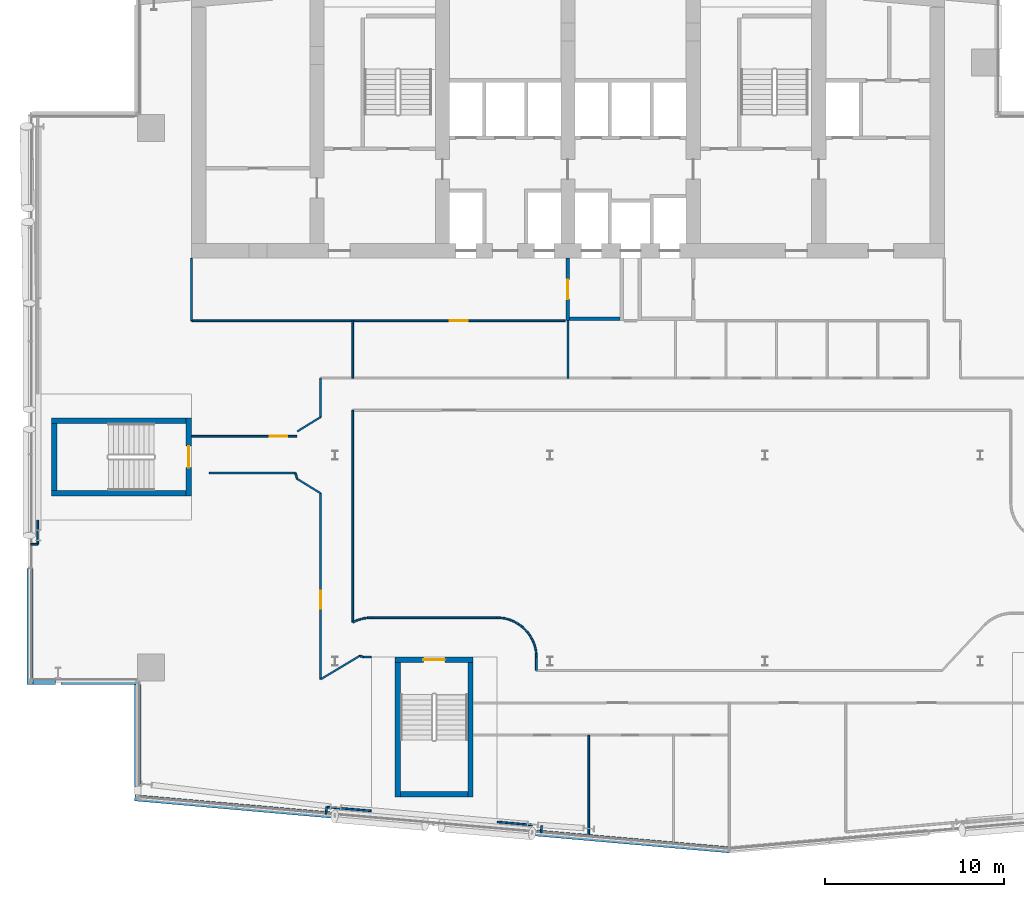
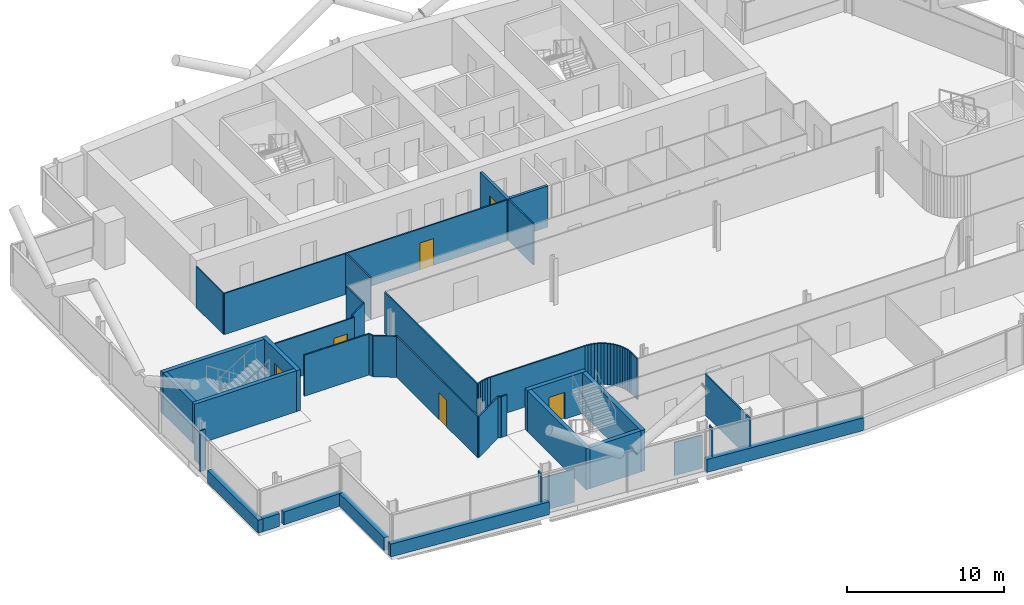
# One storey, part 14 of 27: 61 walls, 6 doors, 6 openings.
"""IFC4 building model written with IfcOpenShell, lengths in metres."""

from ifc_helpers import new_model, si_unit, direction, frame, frame_2d, origin, place, context, subcontext, project, spatial, rectangle, extrude, material, layer, layer_set, type_object, element, fill, save


model = new_model("IFC4")

# Units and contexts
model_context = context("Model", 3, precision=1e-05, world=origin(), true_north=direction((0.0, 1.0)))
body_context = subcontext(model_context, "Body", "Model", "MODEL_VIEW")
ifc_project = project(units=[si_unit("LENGTHUNIT", "METRE"), si_unit("AREAUNIT", "SQUARE_METRE"), si_unit("VOLUMEUNIT", "CUBIC_METRE"), si_unit("PLANEANGLEUNIT", "RADIAN"), si_unit("MASSUNIT", "GRAM", prefix="KILO")], contexts=[model_context])

# Site, building, storey
site_placement = place(None, origin())
site = spatial("IfcSite", under=ifc_project, at=site_placement, CompositionType="ELEMENT")
building_placement = place(site_placement, origin())
building = spatial("IfcBuilding", under=site, at=building_placement, Name="Wharfspan Tower", CompositionType="ELEMENT")
storey_placement = place(building_placement, frame((0.0, 0.0, 159.100098)))
storey = spatial("IfcBuildingStorey", under=building, at=storey_placement, Name="L38", CompositionType="ELEMENT", Elevation=159.100098)

# Wall
ifc_material_1 = material(Name="Gypsum board on steel studs", Category="steel")
ifc_layer_1 = layer(ifc_material_1, 0.100098)
ifc_layer_set_1 = layer_set([ifc_layer_1], Name="Gypsum board on steel studs")
wall_type_1 = type_object("IfcWallType", Name="Compartment wall 100 EI 60", PredefinedType="PARTITIONING", material=ifc_layer_set_1)
wall_1_placement = place(storey_placement, frame((16.0, 30.5, 0.0), z_axis=(0.0, 0.0, 1.0), x_axis=(0.0, 1.0, 0.0)))
element("IfcWall", 1, at=wall_1_placement, inside=storey, type_object=wall_type_1, Name="Partition L38.w004", PredefinedType="PARTITIONING", context=body_context, shape_type="SweptSolid", body=[
    extrude(rectangle(XDim=3.47998, YDim=0.100098, at=frame_2d((1.73999, 0.0))), origin(), (0.0, 0.0, 1.0), 3.199951),
])

# Wall, opening, door
wall_2_placement = place(storey_placement, frame((16.0, 30.5, 0.0), z_axis=(0.0, 0.0, 1.0), x_axis=(1.0, 0.0, 0.0)))
wall_2 = element("IfcWall", 2, at=wall_2_placement, inside=storey, type_object=wall_type_1, Name="Partition L38.w005", PredefinedType="PARTITIONING", context=body_context, shape_type="SweptSolid", body=[
    extrude(rectangle(XDim=20.850098, YDim=0.100098, at=frame_2d((10.425049, 0.0))), origin(), (0.0, 0.0, 1.0), 3.199951),
])
opening_1_placement = place(wall_2_placement, frame((14.419922, 0.0, 0.0)))
opening_1 = element("IfcOpeningElement", 3, at=opening_1_placement, cuts=wall_2, Name="Opening C2-18", PredefinedType="OPENING", context=body_context, shape_type="SweptSolid", body=[
    extrude(rectangle(XDim=1.0, YDim=2.100098, at=frame_2d((0.5, 1.050049))), frame((0.0, 0.060059, 0.0), z_axis=(0.0, -1.0, 0.0), x_axis=(1.0, 0.0, 0.0)), (0.0, 0.0, 1.0), 0.120117),
])
ifc_material_2 = material(Name="Fire-rated timber door leaf in steel frame", Category="steel")
door_type_1 = type_object("IfcDoorType", Name="Door 1000 FD30S Left", OperationType="SINGLE_SWING_LEFT", PredefinedType="DOOR", material=ifc_material_2)
door_1_placement = place(opening_1_placement, origin())
door_1 = element("IfcDoor", 4, at=door_1_placement, inside=storey, type_object=door_type_1, Name="Door C2-18", OperationType="SINGLE_SWING_LEFT", OverallHeight=2.100098, OverallWidth=1.0, PredefinedType="DOOR", context=body_context, shape_type="SweptSolid", body=[
    extrude(rectangle(XDim=1.0, YDim=2.100098, at=frame_2d((0.5, 1.050049))), frame((0.0, 0.024902, 0.0), z_axis=(0.0, -1.0, 0.0), x_axis=(1.0, 0.0, 0.0)), (0.0, 0.0, 1.0), 0.050049),
])
fill(opening_1, door_1)

# Wall
wall_3_placement = place(storey_placement, frame((17.0, 22.0, 0.0), z_axis=(0.0, 0.0, 1.0), x_axis=(1.0, 0.0, 0.0)))
element("IfcWall", 5, at=wall_3_placement, inside=storey, type_object=wall_type_1, Name="Partition L38.w006", PredefinedType="PARTITIONING", context=body_context, shape_type="SweptSolid", body=[
    extrude(rectangle(XDim=4.794922, YDim=0.100098, at=frame_2d((2.397461, 0.0))), origin(), (0.0, 0.0, 1.0), 3.199951),
])

# Wall, opening, door
wall_4_placement = place(storey_placement, frame((16.02002, 24.050049, 0.0), z_axis=(0.0, 0.0, 1.0), x_axis=(1.0, 0.0, 0.0)))
wall_4 = element("IfcWall", 6, at=wall_4_placement, inside=storey, type_object=wall_type_1, Name="Partition L38.w007", PredefinedType="PARTITIONING", context=body_context, shape_type="SweptSolid", body=[
    extrude(rectangle(XDim=5.85498, YDim=0.100098, at=frame_2d((2.92749, 0.0))), origin(), (0.0, 0.0, 1.0), 3.199951),
])
opening_2_placement = place(wall_4_placement, frame((4.33252, 0.0, 0.0)))
opening_2 = element("IfcOpeningElement", 7, at=opening_2_placement, cuts=wall_4, Name="Opening C2-09", PredefinedType="OPENING", context=body_context, shape_type="SweptSolid", body=[
    extrude(rectangle(XDim=1.0, YDim=2.100098, at=frame_2d((0.5, 1.050049))), frame((0.0, 0.060059, 0.0), z_axis=(0.0, -1.0, 0.0), x_axis=(1.0, 0.0, 0.0)), (0.0, 0.0, 1.0), 0.120117),
])
door_type_2 = type_object("IfcDoorType", Name="Door 1000 FD30S Right", OperationType="SINGLE_SWING_RIGHT", PredefinedType="DOOR", material=ifc_material_2)
door_2_placement = place(opening_2_placement, origin())
door_2 = element("IfcDoor", 8, at=door_2_placement, inside=storey, type_object=door_type_2, Name="Door C2-09", OperationType="SINGLE_SWING_RIGHT", OverallHeight=2.100098, OverallWidth=1.0, PredefinedType="DOOR", context=body_context, shape_type="SweptSolid", body=[
    extrude(rectangle(XDim=1.0, YDim=2.100098, at=frame_2d((0.5, 1.050049))), frame((0.0, 0.024902, 0.0), z_axis=(0.0, -1.0, 0.0), x_axis=(1.0, 0.0, 0.0)), (0.0, 0.0, 1.0), 0.050049),
])
fill(opening_2, door_2)

# Walls
wall_5_placement = place(storey_placement, frame((21.899902, 21.675049, 0.0), z_axis=(0.0, 0.0, 1.0), x_axis=(-0.30742, 0.951572, 0.0)))
element("IfcWall", 9, at=wall_5_placement, inside=storey, type_object=wall_type_1, Name="Partition L38.w008", PredefinedType="PARTITIONING", context=body_context, shape_type="SweptSolid", body=[
    extrude(rectangle(XDim=0.341553, YDim=0.100098, at=frame_2d((0.170898, 0.0))), origin(), (0.0, 0.0, 1.0), 3.199951),
])
for number, where, z_axis, x_axis, name in (
    (10, (21.899902, 24.324951, 0.0), (0.0, 0.0, 1.0), (0.851649, 0.524104, 0.0), "Partition L38.w009"),
    (11, (23.199951, 20.875, 0.0), (0.0, 0.0, 1.0), (-0.851649, 0.524104, 0.0), "Partition L38.w010"),
):
    element("IfcWall", number, at=place(storey_placement, frame(where, z_axis=z_axis, x_axis=x_axis)), inside=storey, type_object=wall_type_1, Name=name, PredefinedType="PARTITIONING", context=body_context, shape_type="SweptSolid", body=[
        extrude(rectangle(XDim=1.526611, YDim=0.100098, at=frame_2d((0.763184, 0.0))), origin(), (0.0, 0.0, 1.0), 3.199951),
    ])
wall_6_placement = place(storey_placement, frame((23.199951, 10.495117, 0.0), z_axis=(0.0, 0.0, 1.0), x_axis=(0.857707, 0.514145, 0.0)))
element("IfcWall", 12, at=wall_6_placement, inside=storey, type_object=wall_type_1, Name="Partition L38.w011", PredefinedType="PARTITIONING", context=body_context, shape_type="SweptSolid", body=[
    extrude(rectangle(XDim=2.547607, YDim=0.100098, at=frame_2d((1.273926, 0.0))), origin(), (0.0, 0.0, 1.0), 3.199951),
])

# Wall, opening, door
wall_7_placement = place(storey_placement, frame((23.199951, 10.495117, 0.0), z_axis=(0.0, 0.0, 1.0), x_axis=(0.0, 1.0, 0.0)))
wall_7 = element("IfcWall", 13, at=wall_7_placement, inside=storey, type_object=wall_type_1, Name="Partition L38.w012", PredefinedType="PARTITIONING", context=body_context, shape_type="SweptSolid", body=[
    extrude(rectangle(XDim=10.379883, YDim=0.100098, at=frame_2d((5.189941, 0.0))), origin(), (0.0, 0.0, 1.0), 3.199951),
])
opening_3_placement = place(wall_7_placement, frame((3.947998, 0.0, 0.0)))
opening_3 = element("IfcOpeningElement", 14, at=opening_3_placement, cuts=wall_7, Name="Opening C2-07", PredefinedType="OPENING", context=body_context, shape_type="SweptSolid", body=[
    extrude(rectangle(XDim=1.0, YDim=2.100098, at=frame_2d((0.5, 1.050049))), frame((0.0, 0.060059, 0.0), z_axis=(0.0, -1.0, 0.0), x_axis=(1.0, 0.0, 0.0)), (0.0, 0.0, 1.0), 0.120117),
])
door_3_placement = place(opening_3_placement, origin())
door_3 = element("IfcDoor", 15, at=door_3_placement, inside=storey, type_object=door_type_1, Name="Door C2-07", OperationType="SINGLE_SWING_LEFT", OverallHeight=2.100098, OverallWidth=1.0, PredefinedType="DOOR", context=body_context, shape_type="SweptSolid", body=[
    extrude(rectangle(XDim=1.0, YDim=2.100098, at=frame_2d((0.5, 1.050049))), frame((0.0, 0.024902, 0.0), z_axis=(0.0, -1.0, 0.0), x_axis=(1.0, 0.0, 0.0)), (0.0, 0.0, 1.0), 0.050049),
])
fill(opening_3, door_3)

# Walls
wall_8_placement = place(storey_placement, frame((23.199951, 25.125, 0.0), z_axis=(0.0, 0.0, 1.0), x_axis=(0.0, 1.0, 0.0)))
element("IfcWall", 16, at=wall_8_placement, inside=storey, type_object=wall_type_1, Name="Partition L38.w013", PredefinedType="PARTITIONING", context=body_context, shape_type="SweptSolid", body=[
    extrude(rectangle(XDim=2.175049, YDim=0.100098, at=frame_2d((1.087402, 0.0))), origin(), (0.0, 0.0, 1.0), 3.199951),
])
wall_9_placement = place(storey_placement, frame((25.0, 27.300049, 0.0), z_axis=(0.0, 0.0, 1.0), x_axis=(0.0, 1.0, 0.0)))
element("IfcWall", 17, at=wall_9_placement, inside=storey, type_object=wall_type_1, Name="Partition L38.w016", PredefinedType="PARTITIONING", context=body_context, shape_type="SweptSolid", body=[
    extrude(rectangle(XDim=3.199951, YDim=0.100098, at=frame_2d((1.600098, 0.0))), origin(), (0.0, 0.0, 1.0), 3.199951),
])
wall_10_placement = place(storey_placement, frame((25.0, 13.675049, 0.0), z_axis=(0.0, 0.0, 1.0), x_axis=(0.0, 1.0, 0.0)))
element("IfcWall", 18, at=wall_10_placement, inside=storey, type_object=wall_type_1, Name="Partition L38.w017", PredefinedType="PARTITIONING", context=body_context, shape_type="SweptSolid", body=[
    extrude(rectangle(XDim=11.824951, YDim=0.100098, at=frame_2d((5.912598, 0.0))), origin(), (0.0, 0.0, 1.0), 3.199951),
])
wall_11_placement = place(storey_placement, frame((25.0, 13.675049, 0.0), z_axis=(0.0, 0.0, 1.0), x_axis=(0.899103, 0.437736, 0.0)))
element("IfcWall", 19, at=wall_11_placement, inside=storey, type_object=wall_type_1, Name="Partition L38.w018", PredefinedType="PARTITIONING", context=body_context, shape_type="SweptSolid", body=[
    extrude(rectangle(XDim=0.217041, YDim=0.100098, at=frame_2d((0.108398, 0.0))), origin(), (0.0, 0.0, 1.0), 3.199951),
])
wall_12_placement = place(storey_placement, frame((25.195068, 13.77002, 0.0), z_axis=(0.0, 0.0, 1.0), x_axis=(0.94617, 0.32366, 0.0)))
element("IfcWall", 20, at=wall_12_placement, inside=storey, type_object=wall_type_1, Name="Partition L38.w020", PredefinedType="PARTITIONING", context=body_context, shape_type="SweptSolid", body=[
    extrude(rectangle(XDim=0.216553, YDim=0.100098, at=frame_2d((0.108398, 0.0))), origin(), (0.0, 0.0, 1.0), 3.199951),
])
wall_13_placement = place(storey_placement, frame((25.399902, 13.840088, 0.0), z_axis=(0.0, 0.0, 1.0), x_axis=(0.967508, 0.252833, 0.0)))
element("IfcWall", 21, at=wall_13_placement, inside=storey, type_object=wall_type_1, Name="Partition L38.w021", PredefinedType="PARTITIONING", context=body_context, shape_type="SweptSolid", body=[
    extrude(rectangle(XDim=0.217285, YDim=0.100098, at=frame_2d((0.108643, 0.0))), origin(), (0.0, 0.0, 1.0), 3.199951),
])
wall_14_placement = place(storey_placement, frame((25.590088, 11.735107, 0.0), z_axis=(0.0, 0.0, 1.0), x_axis=(1.0, 0.0, 0.0)))
element("IfcWall", 22, at=wall_14_placement, inside=storey, type_object=wall_type_1, Name="Partition L38.w022", PredefinedType="PARTITIONING", context=body_context, shape_type="SweptSolid", body=[
    extrude(rectangle(XDim=0.429199, YDim=0.100098, at=frame_2d((0.2146, 0.0))), origin(), (0.0, 0.0, 1.0), 3.199951),
])
wall_15_placement = place(storey_placement, frame((25.590088, 11.735107, 0.0), z_axis=(0.0, 0.0, 1.0), x_axis=(-0.946633, 0.322306, 0.0)))
element("IfcWall", 23, at=wall_15_placement, inside=storey, type_object=wall_type_1, Name="Partition L38.w023", PredefinedType="PARTITIONING", context=body_context, shape_type="SweptSolid", body=[
    extrude(rectangle(XDim=0.216553, YDim=0.100098, at=frame_2d((0.108398, 0.0))), origin(), (0.0, 0.0, 1.0), 3.199951),
])
wall_16_placement = place(storey_placement, frame((25.610107, 13.89502, 0.0), z_axis=(0.0, 0.0, 1.0), x_axis=(0.990372, 0.138427, 0.0)))
element("IfcWall", 24, at=wall_16_placement, inside=storey, type_object=wall_type_1, Name="Partition L38.w024", PredefinedType="PARTITIONING", context=body_context, shape_type="SweptSolid", body=[
    extrude(rectangle(XDim=0.217041, YDim=0.100098, at=frame_2d((0.108398, 0.0))), origin(), (0.0, 0.0, 1.0), 3.199951),
])
wall_17_placement = place(storey_placement, frame((25.824951, 13.925049, 0.0), z_axis=(0.0, 0.0, 1.0), x_axis=(0.998923, 0.046488, 0.0)))
element("IfcWall", 25, at=wall_17_placement, inside=storey, type_object=wall_type_1, Name="Partition L38.w025", PredefinedType="PARTITIONING", context=body_context, shape_type="SweptSolid", body=[
    extrude(rectangle(XDim=0.215332, YDim=0.100098, at=frame_2d((0.107666, 0.0))), origin(), (0.0, 0.0, 1.0), 3.199951),
])
wall_18_placement = place(storey_placement, frame((26.040039, 13.935059, 0.0), z_axis=(0.0, 0.0, 1.0), x_axis=(1.0, 0.0, 0.0)))
element("IfcWall", 26, at=wall_18_placement, inside=storey, type_object=wall_type_1, Name="Partition L38.w027", PredefinedType="PARTITIONING", context=body_context, shape_type="SweptSolid", body=[
    extrude(rectangle(XDim=7.0, YDim=0.100098, at=frame_2d((3.5, 0.0))), origin(), (0.0, 0.0, 1.0), 3.199951),
])
wall_19_placement = place(storey_placement, frame((33.254883, 13.925049, 0.0), z_axis=(0.0, 0.0, 1.0), x_axis=(-0.998912, 0.04654, 0.0)))
element("IfcWall", 27, at=wall_19_placement, inside=storey, type_object=wall_type_1, Name="Partition L38.w030", PredefinedType="PARTITIONING", context=body_context, shape_type="SweptSolid", body=[
    extrude(rectangle(XDim=0.215088, YDim=0.100098, at=frame_2d((0.107422, 0.0))), origin(), (0.0, 0.0, 1.0), 3.199951),
])
wall_20_placement = place(storey_placement, frame((33.469971, 13.89502, 0.0), z_axis=(0.0, 0.0, 1.0), x_axis=(-0.990394, 0.138273, 0.0)))
element("IfcWall", 28, at=wall_20_placement, inside=storey, type_object=wall_type_1, Name="Partition L38.w031", PredefinedType="PARTITIONING", context=body_context, shape_type="SweptSolid", body=[
    extrude(rectangle(XDim=0.217285, YDim=0.100098, at=frame_2d((0.108643, 0.0))), origin(), (0.0, 0.0, 1.0), 3.199951),
])
wall_21_placement = place(storey_placement, frame((33.679932, 13.840088, 0.0), z_axis=(0.0, 0.0, 1.0), x_axis=(-0.967435, 0.253108, 0.0)))
element("IfcWall", 29, at=wall_21_placement, inside=storey, type_object=wall_type_1, Name="Partition L38.w032", PredefinedType="PARTITIONING", context=body_context, shape_type="SweptSolid", body=[
    extrude(rectangle(XDim=0.217041, YDim=0.100098, at=frame_2d((0.108398, 0.0))), origin(), (0.0, 0.0, 1.0), 3.199951),
])
wall_22_placement = place(storey_placement, frame((33.879883, 13.77002, 0.0), z_axis=(0.0, 0.0, 1.0), x_axis=(-0.943736, 0.330711, 0.0)))
element("IfcWall", 30, at=wall_22_placement, inside=storey, type_object=wall_type_1, Name="Partition L38.w033", PredefinedType="PARTITIONING", context=body_context, shape_type="SweptSolid", body=[
    extrude(rectangle(XDim=0.211914, YDim=0.100098, at=frame_2d((0.105957, 0.0))), origin(), (0.0, 0.0, 1.0), 3.199951),
])
wall_23_placement = place(storey_placement, frame((34.074951, 13.675049, 0.0), z_axis=(0.0, 0.0, 1.0), x_axis=(-0.899103, 0.437736, 0.0)))
element("IfcWall", 31, at=wall_23_placement, inside=storey, type_object=wall_type_1, Name="Partition L38.w034", PredefinedType="PARTITIONING", context=body_context, shape_type="SweptSolid", body=[
    extrude(rectangle(XDim=0.217041, YDim=0.100098, at=frame_2d((0.108398, 0.0))), origin(), (0.0, 0.0, 1.0), 3.199951),
])
wall_24_placement = place(storey_placement, frame((34.26001, 13.564941, 0.0), z_axis=(0.0, 0.0, 1.0), x_axis=(-0.859387, 0.511324, 0.0)))
element("IfcWall", 32, at=wall_24_placement, inside=storey, type_object=wall_type_1, Name="Partition L38.w035", PredefinedType="PARTITIONING", context=body_context, shape_type="SweptSolid", body=[
    extrude(rectangle(XDim=0.215332, YDim=0.100098, at=frame_2d((0.107666, 0.0))), origin(), (0.0, 0.0, 1.0), 3.199951),
])
wall_25_placement = place(storey_placement, frame((34.435059, 13.435059, 0.0), z_axis=(0.0, 0.0, 1.0), x_axis=(-0.803079, 0.595869, 0.0)))
element("IfcWall", 33, at=wall_25_placement, inside=storey, type_object=wall_type_1, Name="Partition L38.w036", PredefinedType="PARTITIONING", context=body_context, shape_type="SweptSolid", body=[
    extrude(rectangle(XDim=0.218018, YDim=0.100098, at=frame_2d((0.108887, 0.0))), origin(), (0.0, 0.0, 1.0), 3.199951),
])
wall_26_placement = place(storey_placement, frame((34.594971, 13.290039, 0.0), z_axis=(0.0, 0.0, 1.0), x_axis=(-0.740762, 0.671775, 0.0)))
element("IfcWall", 34, at=wall_26_placement, inside=storey, type_object=wall_type_1, Name="Partition L38.w037", PredefinedType="PARTITIONING", context=body_context, shape_type="SweptSolid", body=[
    extrude(rectangle(XDim=0.21582, YDim=0.100098, at=frame_2d((0.10791, 0.0))), origin(), (0.0, 0.0, 1.0), 3.199951),
])
wall_27_placement = place(storey_placement, frame((34.73999, 13.129883, 0.0), z_axis=(0.0, 0.0, 1.0), x_axis=(-0.67121, 0.741269, 0.0)))
element("IfcWall", 35, at=wall_27_placement, inside=storey, type_object=wall_type_1, Name="Partition L38.w038", PredefinedType="PARTITIONING", context=body_context, shape_type="SweptSolid", body=[
    extrude(rectangle(XDim=0.216064, YDim=0.100098, at=frame_2d((0.10791, 0.0))), origin(), (0.0, 0.0, 1.0), 3.199951),
])
wall_28_placement = place(storey_placement, frame((34.870117, 12.955078, 0.0), z_axis=(0.0, 0.0, 1.0), x_axis=(-0.597126, 0.802143, 0.0)))
element("IfcWall", 36, at=wall_28_placement, inside=storey, type_object=wall_type_1, Name="Partition L38.w039", PredefinedType="PARTITIONING", context=body_context, shape_type="SweptSolid", body=[
    extrude(rectangle(XDim=0.218018, YDim=0.100098, at=frame_2d((0.108887, 0.0))), origin(), (0.0, 0.0, 1.0), 3.199951),
])
wall_29_placement = place(storey_placement, frame((34.97998, 12.77002, 0.0), z_axis=(0.0, 0.0, 1.0), x_axis=(-0.510487, 0.859887, 0.0)))
element("IfcWall", 37, at=wall_29_placement, inside=storey, type_object=wall_type_1, Name="Partition L38.w040", PredefinedType="PARTITIONING", context=body_context, shape_type="SweptSolid", body=[
    extrude(rectangle(XDim=0.215332, YDim=0.100098, at=frame_2d((0.107666, 0.0))), origin(), (0.0, 0.0, 1.0), 3.199951),
])
wall_30_placement = place(storey_placement, frame((35.074951, 12.574951, 0.0), z_axis=(0.0, 0.0, 1.0), x_axis=(-0.437736, 0.899103, 0.0)))
element("IfcWall", 38, at=wall_30_placement, inside=storey, type_object=wall_type_1, Name="Partition L38.w042", PredefinedType="PARTITIONING", context=body_context, shape_type="SweptSolid", body=[
    extrude(rectangle(XDim=0.217041, YDim=0.100098, at=frame_2d((0.108398, 0.0))), origin(), (0.0, 0.0, 1.0), 3.199951),
])
wall_31_placement = place(storey_placement, frame((35.14502, 12.375, 0.0), z_axis=(0.0, 0.0, 1.0), x_axis=(-0.330711, 0.943736, 0.0)))
element("IfcWall", 39, at=wall_31_placement, inside=storey, type_object=wall_type_1, Name="Partition L38.w043", PredefinedType="PARTITIONING", context=body_context, shape_type="SweptSolid", body=[
    extrude(rectangle(XDim=0.211914, YDim=0.100098, at=frame_2d((0.105957, 0.0))), origin(), (0.0, 0.0, 1.0), 3.199951),
])
wall_32_placement = place(storey_placement, frame((35.199951, 12.165039, 0.0), z_axis=(0.0, 0.0, 1.0), x_axis=(-0.253108, 0.967435, 0.0)))
element("IfcWall", 40, at=wall_32_placement, inside=storey, type_object=wall_type_1, Name="Partition L38.w044", PredefinedType="PARTITIONING", context=body_context, shape_type="SweptSolid", body=[
    extrude(rectangle(XDim=0.217041, YDim=0.100098, at=frame_2d((0.108398, 0.0))), origin(), (0.0, 0.0, 1.0), 3.199951),
])
wall_33_placement = place(storey_placement, frame((35.22998, 11.949951, 0.0), z_axis=(0.0, 0.0, 1.0), x_axis=(-0.138273, 0.990394, 0.0)))
element("IfcWall", 41, at=wall_33_placement, inside=storey, type_object=wall_type_1, Name="Partition L38.w045", PredefinedType="PARTITIONING", context=body_context, shape_type="SweptSolid", body=[
    extrude(rectangle(XDim=0.217285, YDim=0.100098, at=frame_2d((0.108643, 0.0))), origin(), (0.0, 0.0, 1.0), 3.199951),
])
wall_34_placement = place(storey_placement, frame((35.23999, 11.735107, 0.0), z_axis=(0.0, 0.0, 1.0), x_axis=(-0.04654, 0.998912, 0.0)))
element("IfcWall", 42, at=wall_34_placement, inside=storey, type_object=wall_type_1, Name="Partition L38.w046", PredefinedType="PARTITIONING", context=body_context, shape_type="SweptSolid", body=[
    extrude(rectangle(XDim=0.215088, YDim=0.100098, at=frame_2d((0.107422, 0.0))), origin(), (0.0, 0.0, 1.0), 3.199951),
])
wall_35_placement = place(storey_placement, frame((35.23999, 10.98999, 0.0), z_axis=(0.0, 0.0, 1.0), x_axis=(0.0, 1.0, 0.0)))
element("IfcWall", 43, at=wall_35_placement, inside=storey, type_object=wall_type_1, Name="Partition L38.w047", PredefinedType="PARTITIONING", context=body_context, shape_type="SweptSolid", body=[
    extrude(rectangle(XDim=0.745117, YDim=0.100098, at=frame_2d((0.372559, 0.0))), origin(), (0.0, 0.0, 1.0), 3.199951),
])
wall_36_placement = place(storey_placement, frame((37.0, 27.300049, 0.0), z_axis=(0.0, 0.0, 1.0), x_axis=(0.0, 1.0, 0.0)))
element("IfcWall", 44, at=wall_36_placement, inside=storey, type_object=wall_type_1, Name="Partition L38.w050", PredefinedType="PARTITIONING", context=body_context, shape_type="SweptSolid", body=[
    extrude(rectangle(XDim=3.199951, YDim=0.100098, at=frame_2d((1.600098, 0.0))), origin(), (0.0, 0.0, 1.0), 3.199951),
])

# Wall, opening, door
ifc_material_3 = material(Name="Concrete C30/37", Category="concrete")
ifc_layer_2 = layer(ifc_material_3, 0.199951)
ifc_layer_set_2 = layer_set([ifc_layer_2], Name="Concrete C30/37")
wall_type_2 = type_object("IfcWallType", Name="Lobby wall 200", PredefinedType="PARTITIONING", material=ifc_layer_set_2)
wall_37_placement = place(storey_placement, frame((37.0, 30.5, 0.0), z_axis=(0.0, 0.0, 1.0), x_axis=(0.0, 1.0, 0.0)))
wall_37 = element("IfcWall", 45, at=wall_37_placement, inside=storey, type_object=wall_type_2, Name="sw:L38:FLFF1W", PredefinedType="PARTITIONING", context=body_context, shape_type="SweptSolid", body=[
    extrude(rectangle(XDim=3.5, YDim=0.199951, at=frame_2d((1.75, 0.0))), origin(), (0.0, 0.0, 1.0), 3.199951),
])
opening_4_placement = place(wall_37_placement, frame((1.199951, 0.0, 0.0)))
opening_4 = element("IfcOpeningElement", 46, at=opening_4_placement, cuts=wall_37, Name="Opening FL.FF1.L38", PredefinedType="OPENING", context=body_context, shape_type="SweptSolid", body=[
    extrude(rectangle(XDim=1.100098, YDim=2.100098, at=frame_2d((0.550049, 1.050049))), frame((0.0, 0.109863, 0.0), z_axis=(0.0, -1.0, 0.0), x_axis=(1.0, 0.0, 0.0)), (0.0, 0.0, 1.0), 0.219971),
])
ifc_material_4 = material(Name="Steel door leaf", Category="steel")
door_type_3 = type_object("IfcDoorType", Name="Firefighting lobby door 1100x2100", OperationType="SINGLE_SWING_LEFT", PredefinedType="DOOR", material=ifc_material_4)
door_4_placement = place(opening_4_placement, origin())
door_4 = element("IfcDoor", 47, at=door_4_placement, inside=storey, type_object=door_type_3, Name="fd:L38:FF1", OperationType="SINGLE_SWING_LEFT", OverallHeight=2.100098, OverallWidth=1.100098, PredefinedType="DOOR", context=body_context, shape_type="SweptSolid", body=[
    extrude(rectangle(XDim=1.100098, YDim=2.100098, at=frame_2d((0.550049, 1.050049))), frame((0.0, 0.024902, 0.0), z_axis=(0.0, -1.0, 0.0), x_axis=(1.0, 0.0, 0.0)), (0.0, 0.0, 1.0), 0.050049),
])
fill(opening_4, door_4)

# Walls
wall_38_placement = place(storey_placement, frame((37.100098, 30.600098, 0.0), z_axis=(0.0, 0.0, 1.0), x_axis=(1.0, 0.0, 0.0)))
element("IfcWall", 48, at=wall_38_placement, inside=storey, type_object=wall_type_2, Name="sw:L38:FLFF1F", PredefinedType="PARTITIONING", context=body_context, shape_type="SweptSolid", body=[
    extrude(rectangle(XDim=2.799805, YDim=0.199951, at=frame_2d((1.399902, 0.0))), origin(), (0.0, 0.0, 1.0), 3.199951),
])
ifc_layer_3 = layer(ifc_material_1, 0.100098)
ifc_layer_set_3 = layer_set([ifc_layer_3], Name="Gypsum board on steel studs")
wall_type_3 = type_object("IfcWallType", Name="Partition 100", PredefinedType="PARTITIONING", material=ifc_layer_set_3)
wall_39_placement = place(storey_placement, frame((7.02002, 18.034912, 0.0), z_axis=(0.0, 0.0, 1.0), x_axis=(1.0, 0.0, 0.0)))
element("IfcWall", 49, at=wall_39_placement, inside=storey, type_object=wall_type_3, Name="Partition L38.w001", PredefinedType="PARTITIONING", context=body_context, shape_type="SweptSolid", body=[
    extrude(rectangle(XDim=0.399902, YDim=0.100098, at=frame_2d((0.199951, 0.0))), origin(), (0.0, 0.0, 1.0), 3.199951),
])
wall_40_placement = place(storey_placement, frame((7.419922, 18.034912, 0.0), z_axis=(0.0, 0.0, 1.0), x_axis=(0.0, 1.0, 0.0)))
element("IfcWall", 50, at=wall_40_placement, inside=storey, type_object=wall_type_3, Name="Partition L38.w002", PredefinedType="PARTITIONING", context=body_context, shape_type="SweptSolid", body=[
    extrude(rectangle(XDim=1.344971, YDim=0.100098, at=frame_2d((0.672363, 0.0))), origin(), (0.0, 0.0, 1.0), 2.579834),
])
wall_41_placement = place(storey_placement, frame((23.502197, 2.976318, 0.0), z_axis=(0.0, 0.0, 1.0), x_axis=(0.095654, 0.995419, 0.0)))
element("IfcWall", 51, at=wall_41_placement, inside=storey, type_object=wall_type_3, Name="Partition L38.w015", PredefinedType="PARTITIONING", context=body_context, shape_type="SweptSolid", body=[
    extrude(rectangle(XDim=0.395508, YDim=0.100098, at=frame_2d((0.197754, 0.0))), origin(), (0.0, 0.0, 1.0), 3.199951),
])
wall_42_placement = place(storey_placement, frame((26.019287, 3.156738, 0.0), z_axis=(0.0, 0.0, 1.0), x_axis=(-0.996317, 0.085749, 0.0)))
element("IfcWall", 52, at=wall_42_placement, inside=storey, type_object=wall_type_3, Name="Partition L38.w026", PredefinedType="PARTITIONING", context=body_context, shape_type="SweptSolid", body=[
    extrude(rectangle(XDim=2.488525, YDim=0.100098, at=frame_2d((1.244141, 0.0))), origin(), (0.0, 0.0, 1.0), 2.579834),
])
wall_43_placement = place(storey_placement, frame((35.0, 2.370117, 0.0), z_axis=(0.0, 0.0, 1.0), x_axis=(-0.996265, 0.086343, 0.0)))
element("IfcWall", 53, at=wall_43_placement, inside=storey, type_object=wall_type_3, Name="Partition L38.w041", PredefinedType="PARTITIONING", context=body_context, shape_type="SweptSolid", body=[
    extrude(rectangle(XDim=1.948242, YDim=0.100098, at=frame_2d((0.974121, 0.0))), origin(), (0.0, 0.0, 1.0), 2.579834),
])
wall_44_placement = place(storey_placement, frame((35.501709, 1.926514, 0.0), z_axis=(0.0, 0.0, 1.0), x_axis=(0.083045, 0.996542, 0.0)))
element("IfcWall", 54, at=wall_44_placement, inside=storey, type_object=wall_type_3, Name="Partition L38.w049", PredefinedType="PARTITIONING", context=body_context, shape_type="SweptSolid", body=[
    extrude(rectangle(XDim=0.399902, YDim=0.100098, at=frame_2d((0.199951, 0.0))), origin(), (0.0, 0.0, 1.0), 3.199951),
])
wall_45_placement = place(storey_placement, frame((38.159912, 1.693848, 0.0), z_axis=(0.0, 0.0, 1.0), x_axis=(0.0, 1.0, 0.0)))
element("IfcWall", 55, at=wall_45_placement, inside=storey, type_object=wall_type_3, Name="Partition L38.w051", PredefinedType="PARTITIONING", context=body_context, shape_type="SweptSolid", body=[
    extrude(rectangle(XDim=5.691162, YDim=0.100098, at=frame_2d((2.845703, 0.0))), origin(), (0.0, 0.0, 1.0), 3.199951),
])
ifc_material_5 = material(Name="Concrete C40/50", Category="concrete")
ifc_layer_4 = layer(ifc_material_5, 0.350098)
ifc_layer_set_4 = layer_set([ifc_layer_4], Name="Concrete C40/50")
wall_type_4 = type_object("IfcWallType", Name="SPANDREL EXPOSED CONCRETE 350", PredefinedType="SOLIDWALL", material=ifc_layer_set_4)
wall_46_placement = place(storey_placement, frame((12.835205, 3.884521, 0.0), z_axis=(0.0, 0.0, 1.0), x_axis=(0.996199, -0.087154, 0.0)))
element("IfcWall", 56, at=wall_46_placement, inside=storey, type_object=wall_type_4, Name="Spandrel upstand L38 S1 1", PredefinedType="SOLIDWALL", context=body_context, shape_type="SweptSolid", body=[
    extrude(rectangle(XDim=11.177002, YDim=0.350098, at=frame_2d((5.588379, 0.0))), origin(), (0.0, 0.0, 1.0), 1.0),
])
wall_47_placement = place(storey_placement, frame((35.029541, 1.942627, 0.0), z_axis=(0.0, 0.0, 1.0), x_axis=(0.996199, -0.08714, 0.0)))
element("IfcWall", 57, at=wall_47_placement, inside=storey, type_object=wall_type_4, Name="Spandrel upstand L38 S1 2", PredefinedType="SOLIDWALL", context=body_context, shape_type="SweptSolid", body=[
    extrude(rectangle(XDim=11.027588, YDim=0.350098, at=frame_2d((5.513672, 0.0))), origin(), (0.0, 0.0, 1.0), 1.0),
])
wall_48_placement = place(storey_placement, frame((6.995117, 16.689941, 0.0), z_axis=(0.0, 0.0, 1.0), x_axis=(0.0, -1.0, 0.0)))
element("IfcWall", 58, at=wall_48_placement, inside=storey, type_object=wall_type_4, Name="Spandrel upstand L38 W", PredefinedType="SOLIDWALL", context=body_context, shape_type="SweptSolid", body=[
    extrude(rectangle(XDim=6.469971, YDim=0.350098, at=frame_2d((3.234863, 0.0))), origin(), (0.0, 0.0, 1.0), 1.0),
])
wall_49_placement = place(storey_placement, frame((7.169922, 10.39502, 0.0), z_axis=(0.0, 0.0, 1.0), x_axis=(1.0, 0.0, 0.0)))
element("IfcWall", 59, at=wall_49_placement, inside=storey, type_object=wall_type_4, Name="Spandrel upstand L38 NFW-H", PredefinedType="SOLIDWALL", context=body_context, shape_type="SweptSolid", body=[
    extrude(rectangle(XDim=1.238281, YDim=0.350098, at=frame_2d((0.619141, 0.0))), origin(), (0.0, 0.0, 1.0), 1.0),
])
wall_50_placement = place(storey_placement, frame((8.713379, 10.39502, 0.0), z_axis=(0.0, 0.0, 1.0), x_axis=(1.0, 0.0, 0.0)))
element("IfcWall", 60, at=wall_50_placement, inside=storey, type_object=wall_type_4, Name="Spandrel upstand L38 NFW-H 2", PredefinedType="SOLIDWALL", context=body_context, shape_type="SweptSolid", body=[
    extrude(rectangle(XDim=4.286621, YDim=0.350098, at=frame_2d((2.143311, 0.0))), origin(), (0.0, 0.0, 1.0), 1.0),
])
wall_51_placement = place(storey_placement, frame((12.995117, 10.219971, 0.0), z_axis=(0.0, 0.0, 1.0), x_axis=(0.0, -1.0, 0.0)))
element("IfcWall", 61, at=wall_51_placement, inside=storey, type_object=wall_type_4, Name="Spandrel upstand L38 NFW-V", PredefinedType="SOLIDWALL", context=body_context, shape_type="SweptSolid", body=[
    extrude(rectangle(XDim=5.693359, YDim=0.350098, at=frame_2d((2.84668, 0.0))), origin(), (0.0, 0.0, 1.0), 1.0),
])

# Wall, opening, door
ifc_layer_5 = layer(ifc_material_5, 0.300049)
ifc_layer_set_5 = layer_set([ifc_layer_5], Name="Concrete C40/50")
wall_type_5 = type_object("IfcWallType", Name="Stair core wall 300", PredefinedType="SHEAR", material=ifc_layer_set_5)
wall_52_placement = place(storey_placement, frame((15.850098, 20.725098, 0.0), z_axis=(0.0, 0.0, 1.0), x_axis=(0.0, 1.0, 0.0)))
wall_52 = element("IfcWall", 62, at=wall_52_placement, inside=storey, type_object=wall_type_5, Name="ST3 stair enclosure wall L38", PredefinedType="SHEAR", context=body_context, shape_type="SweptSolid", body=[
    extrude(rectangle(XDim=4.349854, YDim=0.300049, at=frame_2d((2.174805, 0.0))), origin(), (0.0, 0.0, 1.0), 3.199951),
])
opening_5_placement = place(wall_52_placement, frame((1.574951, 0.0, 0.0)))
opening_5 = element("IfcOpeningElement", 63, at=opening_5_placement, cuts=wall_52, Name="Opening SD3.L38", PredefinedType="OPENING", context=body_context, shape_type="SweptSolid", body=[
    extrude(rectangle(XDim=1.199951, YDim=2.100098, at=frame_2d((0.600098, 1.050049))), frame((0.0, 0.159912, 0.0), z_axis=(0.0, -1.0, 0.0), x_axis=(1.0, 0.0, 0.0)), (0.0, 0.0, 1.0), 0.320068),
])
door_type_4 = type_object("IfcDoorType", Name="Stair door 1200x2100", OperationType="SINGLE_SWING_LEFT", PredefinedType="DOOR", material=ifc_material_4)
door_5_placement = place(opening_5_placement, origin())
door_5 = element("IfcDoor", 64, at=door_5_placement, inside=storey, type_object=door_type_4, Name="sd:L38:ST3z3", OperationType="SINGLE_SWING_RIGHT", OverallHeight=2.100098, OverallWidth=1.199951, PredefinedType="DOOR", context=body_context, shape_type="SweptSolid", body=[
    extrude(rectangle(XDim=1.199951, YDim=2.100098, at=frame_2d((0.600098, 1.050049))), frame((0.0, 0.024902, 0.0), z_axis=(0.0, -1.0, 0.0), x_axis=(1.0, 0.0, 0.0)), (0.0, 0.0, 1.0), 0.050049),
])
fill(opening_5, door_5)

wall_53_placement = place(storey_placement, frame((27.364258, 11.584229, 0.0), z_axis=(0.0, 0.0, 1.0), x_axis=(1.0, 0.0, 0.0)))
wall_53 = element("IfcWall", 65, at=wall_53_placement, inside=storey, type_object=wall_type_5, Name="ST4 stair enclosure wall L38", PredefinedType="SHEAR", context=body_context, shape_type="SweptSolid", body=[
    extrude(rectangle(XDim=4.349854, YDim=0.300049, at=frame_2d((2.174805, 0.0))), origin(), (0.0, 0.0, 1.0), 3.199951),
])
opening_6_placement = place(wall_53_placement, frame((1.574951, 0.0, 0.0)))
opening_6 = element("IfcOpeningElement", 66, at=opening_6_placement, cuts=wall_53, Name="Opening SD4.L38", PredefinedType="OPENING", context=body_context, shape_type="SweptSolid", body=[
    extrude(rectangle(XDim=1.199951, YDim=2.100098, at=frame_2d((0.600098, 1.050049))), frame((0.0, 0.159912, 0.0), z_axis=(0.0, -1.0, 0.0), x_axis=(1.0, 0.0, 0.0)), (0.0, 0.0, 1.0), 0.320068),
])
door_6_placement = place(opening_6_placement, origin())
door_6 = element("IfcDoor", 67, at=door_6_placement, inside=storey, type_object=door_type_4, Name="sd:L38:ST4z3", OperationType="SINGLE_SWING_RIGHT", OverallHeight=2.100098, OverallWidth=1.199951, PredefinedType="DOOR", context=body_context, shape_type="SweptSolid", body=[
    extrude(rectangle(XDim=1.199951, YDim=2.100098, at=frame_2d((0.600098, 1.050049))), frame((0.0, 0.024902, 0.0), z_axis=(0.0, -1.0, 0.0), x_axis=(1.0, 0.0, 0.0)), (0.0, 0.0, 1.0), 0.050049),
])
fill(opening_6, door_6)

# Walls
for number, where, z_axis, x_axis, name in (
    (68, (8.199951, 20.875, 0.0), (0.0, 0.0, 1.0), (1.0, 0.0, 0.0), "ST3 stair enclosure wall L38"),
    (69, (8.199951, 24.925049, 0.0), (0.0, 0.0, 1.0), (1.0, 0.0, 0.0), "ST3 stair enclosure wall L38"),
):
    element("IfcWall", number, at=place(storey_placement, frame(where, z_axis=z_axis, x_axis=x_axis)), inside=storey, type_object=wall_type_5, Name=name, PredefinedType="SHEAR", context=body_context, shape_type="SweptSolid", body=[
        extrude(rectangle(XDim=7.5, YDim=0.300049, at=frame_2d((3.75, 0.0))), origin(), (0.0, 0.0, 1.0), 3.199951),
    ])
wall_54_placement = place(storey_placement, frame((8.350098, 21.024902, 0.0), z_axis=(0.0, 0.0, 1.0), x_axis=(0.0, 1.0, 0.0)))
element("IfcWall", 70, at=wall_54_placement, inside=storey, type_object=wall_type_5, Name="ST3 stair enclosure wall L38", PredefinedType="SHEAR", context=body_context, shape_type="SweptSolid", body=[
    extrude(rectangle(XDim=3.75, YDim=0.300049, at=frame_2d((1.875, 0.0))), origin(), (0.0, 0.0, 1.0), 3.199951),
])
for number, where, z_axis, x_axis, name in (
    (71, (27.51416, 3.934326, 0.0), (0.0, 0.0, 1.0), (0.0, 1.0, 0.0), "ST4 stair enclosure wall L38"),
    (72, (31.564209, 3.934326, 0.0), (0.0, 0.0, 1.0), (0.0, 1.0, 0.0), "ST4 stair enclosure wall L38"),
):
    element("IfcWall", number, at=place(storey_placement, frame(where, z_axis=z_axis, x_axis=x_axis)), inside=storey, type_object=wall_type_5, Name=name, PredefinedType="SHEAR", context=body_context, shape_type="SweptSolid", body=[
        extrude(rectangle(XDim=7.5, YDim=0.300049, at=frame_2d((3.75, 0.0))), origin(), (0.0, 0.0, 1.0), 3.199951),
    ])
wall_55_placement = place(storey_placement, frame((27.664307, 4.084229, 0.0), z_axis=(0.0, 0.0, 1.0), x_axis=(1.0, 0.0, 0.0)))
element("IfcWall", 73, at=wall_55_placement, inside=storey, type_object=wall_type_5, Name="ST4 stair enclosure wall L38", PredefinedType="SHEAR", context=body_context, shape_type="SweptSolid", body=[
    extrude(rectangle(XDim=3.75, YDim=0.300049, at=frame_2d((1.875, 0.0))), origin(), (0.0, 0.0, 1.0), 3.199951),
])

save(model, "model.ifc")
